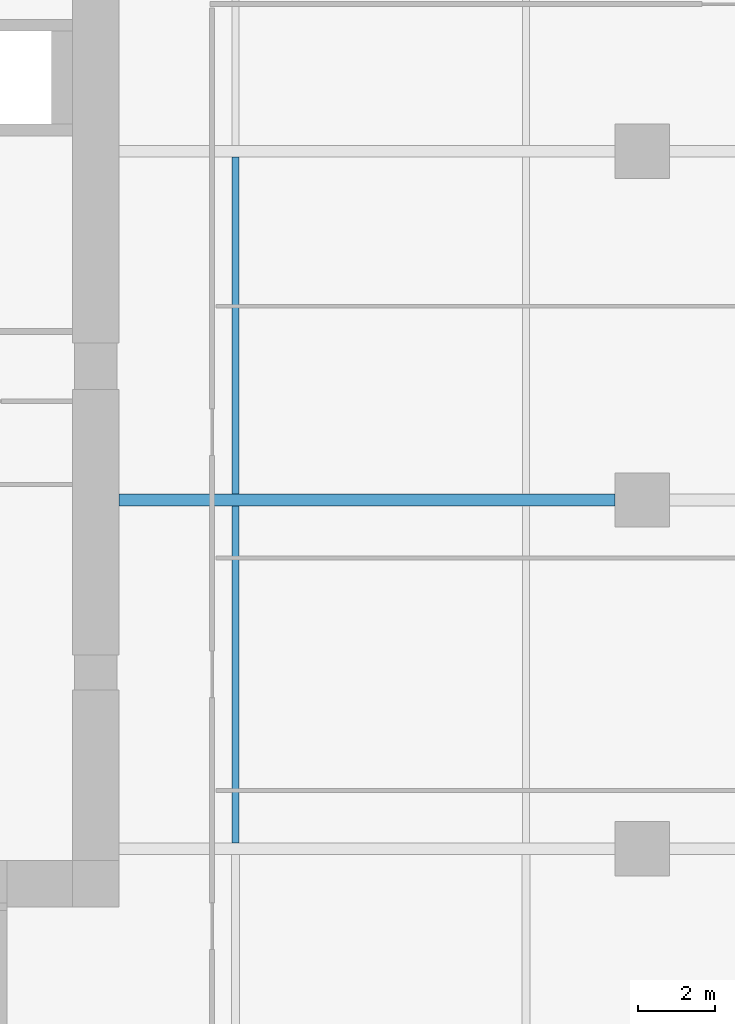
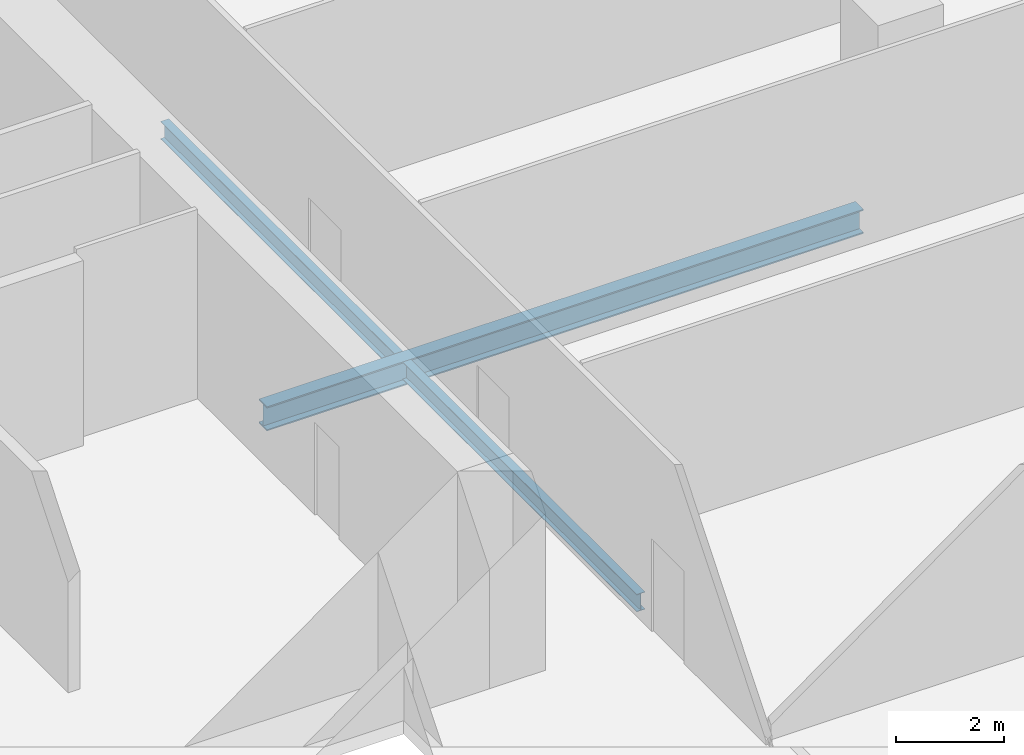
# One storey, part 6 of 32: 3 beams.
"""IFC4 building model written with IfcOpenShell, lengths in metres."""

from ifc_helpers import new_model, si_unit, direction, frame, origin, origin_2d, place, context, subcontext, project, spatial, i_section, extrude, source, transform, mapped, material, material_profile, profile_set, type_object, element, save


model = new_model("IFC4")

# Units and contexts
model_context = context("Model", 3, precision=1e-05, world=origin(), true_north=direction((0.0, 1.0)))
body_context = subcontext(model_context, "Body", "Model", "MODEL_VIEW")
ifc_project = project(units=[si_unit("LENGTHUNIT", "METRE"), si_unit("AREAUNIT", "SQUARE_METRE"), si_unit("VOLUMEUNIT", "CUBIC_METRE"), si_unit("PLANEANGLEUNIT", "RADIAN"), si_unit("MASSUNIT", "GRAM", prefix="KILO")], contexts=[model_context])

# Site, building, storey
site_placement = place(None, origin())
site = spatial("IfcSite", under=ifc_project, at=site_placement, CompositionType="ELEMENT")
building_placement = place(site_placement, origin())
building = spatial("IfcBuilding", under=site, at=building_placement, Name="Khomas Fold Tower", CompositionType="ELEMENT")
storey_placement = place(building_placement, frame((0.0, 0.0, 64.5)))
storey = spatial("IfcBuildingStorey", under=building, at=storey_placement, Name="L13", CompositionType="ELEMENT", Elevation=64.5)

# Beams
ifc_material_1 = material(Name="Steel S355", Category="steel")
ifc_material_profile_1 = material_profile(ifc_material_1, i_section(OverallWidth=0.300048828125, OverallDepth=0.550048828125, WebThickness=0.014892578125, FlangeThickness=0.029052734375, at=origin_2d()), Name="HE 550 B")
ifc_profile_set_1 = profile_set([ifc_material_profile_1], Name="Steel S355")
beam_type_1 = type_object("IfcBeamType", Name="HE 550 B beam GB4", PredefinedType="BEAM", material=ifc_profile_set_1)
shared_shape_1 = source(origin(), body_context, "Body", "SweptSolid", [
    extrude(i_section(OverallWidth=0.300048828125, OverallDepth=0.550048828125, WebThickness=0.014892578125, FlangeThickness=0.029052734375, at=origin_2d()), origin(), (0.0, 0.0, 1.0), 12.800048828125),
])
beam_placement = place(storey_placement, frame((24.0, 22.5, -0.574951171875), z_axis=(1.0, 0.0, 0.0), x_axis=(0.0, 1.0, 0.0)))
element("IfcBeam", 1, at=beam_placement, inside=storey, type_object=beam_type_1, Name="GB4", PredefinedType="BEAM", context=body_context, shape_type="MappedRepresentation", body=[
    mapped(shared_shape_1, transform((0.0, 0.0, 0.0))),
])
ifc_material_2 = material(Name="Steel S355", Category="steel")
ifc_material_profile_2 = material_profile(ifc_material_2, i_section(OverallWidth=0.179931640625, OverallDepth=0.39990234375, WebThickness=0.008544921875, FlangeThickness=0.013427734375, at=origin_2d()), Name="IPE 400")
ifc_profile_set_2 = profile_set([ifc_material_profile_2], Name="Steel S355")
beam_type_2 = type_object("IfcBeamType", Name="IPE 400 beam JB3", PredefinedType="BEAM", material=ifc_profile_set_2)
shared_shape_2 = source(origin(), body_context, "Body", "SweptSolid", [
    extrude(i_section(OverallWidth=0.179931640625, OverallDepth=0.39990234375, WebThickness=0.008544921875, FlangeThickness=0.013427734375, at=origin_2d()), origin(), (0.0, 0.0, 1.0), 8.7001953125),
])
for number, where, z_axis, x_axis, name in (
    (2, (27.0, 13.64990234375, -0.5), (0.0, 1.0, 0.0), (-1.0, 0.0, 0.0), "JB3"),
    (3, (27.0, 22.64990234375, -0.5), (0.0, 1.0, 0.0), (-1.0, 0.0, 0.0), "JB3"),
):
    element("IfcBeam", number, at=place(storey_placement, frame(where, z_axis=z_axis, x_axis=x_axis)), inside=storey, type_object=beam_type_2, Name=name, PredefinedType="BEAM", context=body_context, shape_type="MappedRepresentation", body=[
        mapped(shared_shape_2, transform((0.0, 0.0, 0.0))),
    ])

save(model, "model.ifc")
